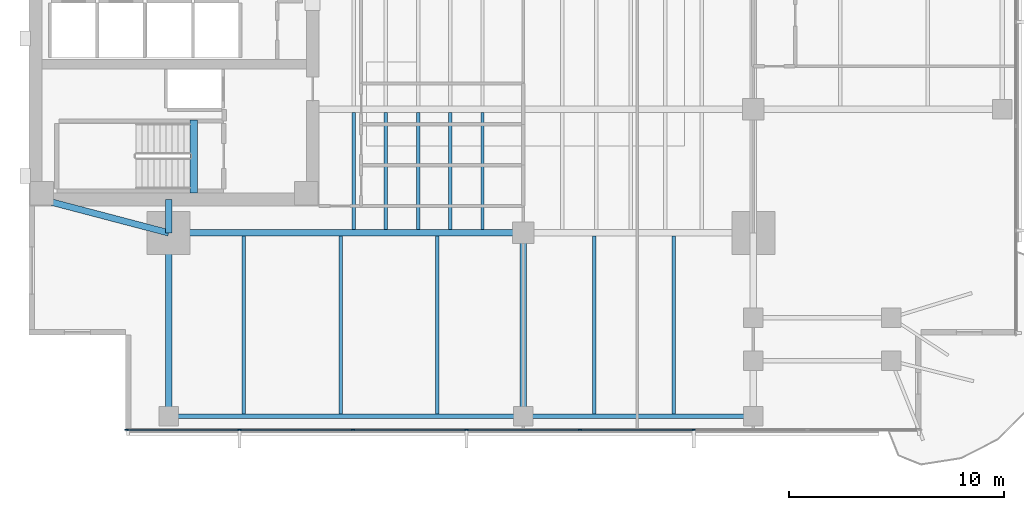
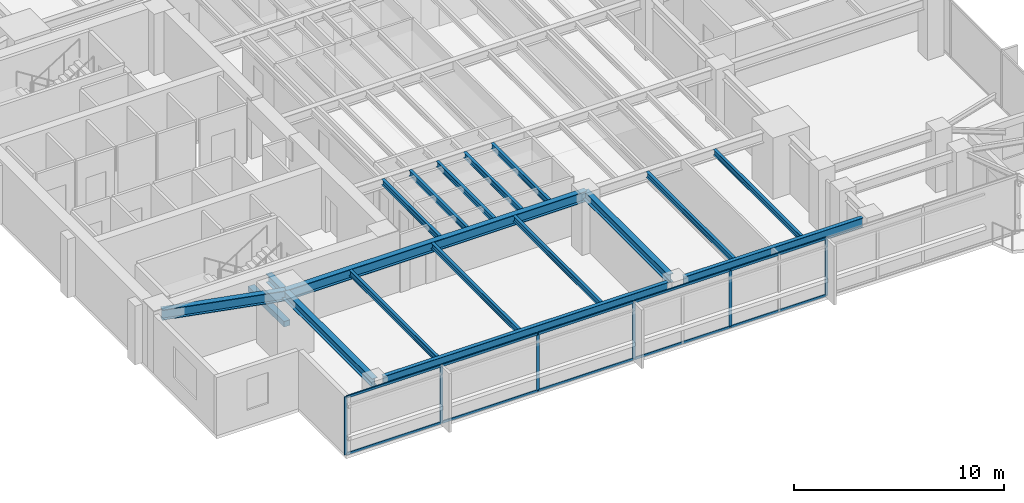
# One storey, part 2 of 14: 18 beams, 16 members, 1 element without a shape of its own.
"""IFC4 building model written with IfcOpenShell, lengths in metres."""

from ifc_helpers import new_model, si_unit, direction, frame, origin, origin_2d, place, context, subcontext, project, spatial, rectangle, i_section, extrude, material, layer, layer_set, material_profile, profile_set, type_object, element, aggregate, save


model = new_model("IFC4")

# Units and contexts
model_context = context("Model", 3, precision=1e-05, world=origin(), true_north=direction((0.0, 1.0)))
body_context = subcontext(model_context, "Body", "Model", "MODEL_VIEW")
ifc_project = project(units=[si_unit("LENGTHUNIT", "METRE"), si_unit("AREAUNIT", "SQUARE_METRE"), si_unit("VOLUMEUNIT", "CUBIC_METRE"), si_unit("PLANEANGLEUNIT", "RADIAN"), si_unit("MASSUNIT", "GRAM", prefix="KILO")], contexts=[model_context])

# Site, building, storey
site_placement = place(None, origin())
site = spatial("IfcSite", under=ifc_project, at=site_placement, CompositionType="ELEMENT")
building_placement = place(site_placement, origin())
building = spatial("IfcBuilding", under=site, at=building_placement, Name="Kinhvarn Gate Tower", CompositionType="ELEMENT")
storey_placement = place(building_placement, frame((0.0, 0.0, 123.550048828125)))
storey = spatial("IfcBuildingStorey", under=building, at=storey_placement, Name="L32", CompositionType="ELEMENT", Elevation=123.550048828125)

# Beam
ifc_material_1 = material(Name="Concrete C50/60", Category="concrete")
ifc_material_profile_1 = material_profile(ifc_material_1, rectangle(XDim=0.340087890625, YDim=0.320068359375, at=origin_2d()), Name="RC 340x320")
ifc_profile_set_1 = profile_set([ifc_material_profile_1], Name="Concrete C50/60")
beam_type_1 = type_object("IfcBeamType", Name="BM-LND-500", PredefinedType="BEAM", material=ifc_profile_set_1)
beam_1_placement = place(storey_placement, frame((12.1650390625, 14.60009765625, -0.16015625), z_axis=(0.0, 1.0, 0.0), x_axis=(-1.0, 0.0, 0.0)))
element("IfcBeam", 1, at=beam_1_placement, inside=storey, type_object=beam_type_1, Name="Stair ST1 Landing Nosing Beam (L32)", PredefinedType="BEAM", context=body_context, shape_type="SweptSolid", body=[
    extrude(rectangle(XDim=0.340087890625, YDim=0.320068359375, at=origin_2d()), origin(), (0.0, 0.0, 1.0), 3.39990234375),
])

# Curtain wall, members
ifc_material_2 = material(Name="Anodised aluminium AW-6063", Category="aluminium")
ifc_layer = layer(ifc_material_2, 0.179931640625)
ifc_layer_set = layer_set([ifc_layer], Name="Anodised aluminium AW-6063")
curtain_wall_type = type_object("IfcCurtainWallType", Name="CW-SYS-3", PredefinedType="NOTDEFINED", material=ifc_layer_set)
curtain_wall_placement = place(storey_placement, origin())
curtain_wall = element("IfcCurtainWall", 2, at=curtain_wall_placement, inside=storey, type_object=curtain_wall_type, Name="Curtain Wall CW3 (L32)", PredefinedType="NOTDEFINED")
ifc_material_profile_2 = material_profile(ifc_material_2, rectangle(XDim=0.06494140625, YDim=0.159912109375, at=origin_2d()), Name="ALU 65x160")
ifc_profile_set_2 = profile_set([ifc_material_profile_2], Name="Anodised aluminium AW-6063")
member_type_1 = type_object("IfcMemberType", Name="CW-MUL-160", PredefinedType="MULLION", material=ifc_profile_set_2)
member_1_placement = place(storey_placement, frame((9.032470703125, 3.590087890625, 0.0), z_axis=(0.0, 0.0, 1.0), x_axis=(0.0, 1.0, 0.0)))
member_1 = element("IfcMember", 3, at=member_1_placement, type_object=member_type_1, Name="CW3 mullion 1", PredefinedType="MULLION", context=body_context, shape_type="SweptSolid", body=[
    extrude(rectangle(XDim=0.06494140625, YDim=0.159912109375, at=origin_2d()), origin(), (0.0, 0.0, 1.0), 3.369873046875),
])
member_2_placement = place(storey_placement, frame((14.28564453125, 3.590087890625, 0.0), z_axis=(0.0, 0.0, 1.0), x_axis=(0.0, 1.0, 0.0)))
member_2 = element("IfcMember", 4, at=member_2_placement, type_object=member_type_1, Name="CW3 mullion 2", PredefinedType="MULLION", context=body_context, shape_type="SweptSolid", body=[
    extrude(rectangle(XDim=0.06494140625, YDim=0.159912109375, at=origin_2d()), origin(), (0.0, 0.0, 1.0), 3.369873046875),
])
member_3_placement = place(storey_placement, frame((19.571533203125, 3.590087890625, 0.0), z_axis=(0.0, 0.0, 1.0), x_axis=(0.0, 1.0, 0.0)))
member_3 = element("IfcMember", 5, at=member_3_placement, type_object=member_type_1, Name="CW3 mullion 3", PredefinedType="MULLION", context=body_context, shape_type="SweptSolid", body=[
    extrude(rectangle(XDim=0.06494140625, YDim=0.159912109375, at=origin_2d()), origin(), (0.0, 0.0, 1.0), 3.369873046875),
])
member_4_placement = place(storey_placement, frame((24.857177734375, 3.590087890625, 0.0), z_axis=(0.0, 0.0, 1.0), x_axis=(0.0, 1.0, 0.0)))
member_4 = element("IfcMember", 6, at=member_4_placement, type_object=member_type_1, Name="CW3 mullion 4", PredefinedType="MULLION", context=body_context, shape_type="SweptSolid", body=[
    extrude(rectangle(XDim=0.06494140625, YDim=0.159912109375, at=origin_2d()), origin(), (0.0, 0.0, 1.0), 3.369873046875),
])
member_5_placement = place(storey_placement, frame((30.142822265625, 3.590087890625, 0.0), z_axis=(0.0, 0.0, 1.0), x_axis=(0.0, 1.0, 0.0)))
member_5 = element("IfcMember", 7, at=member_5_placement, type_object=member_type_1, Name="CW3 mullion 5", PredefinedType="MULLION", context=body_context, shape_type="SweptSolid", body=[
    extrude(rectangle(XDim=0.06494140625, YDim=0.159912109375, at=origin_2d()), origin(), (0.0, 0.0, 1.0), 3.369873046875),
])
member_6_placement = place(storey_placement, frame((35.428466796875, 3.590087890625, 0.0), z_axis=(0.0, 0.0, 1.0), x_axis=(0.0, 1.0, 0.0)))
member_6 = element("IfcMember", 8, at=member_6_placement, type_object=member_type_1, Name="CW3 mullion 6", PredefinedType="MULLION", context=body_context, shape_type="SweptSolid", body=[
    extrude(rectangle(XDim=0.06494140625, YDim=0.159912109375, at=origin_2d()), origin(), (0.0, 0.0, 1.0), 3.369873046875),
])
ifc_material_profile_3 = material_profile(ifc_material_2, rectangle(XDim=0.070068359375, YDim=0.139892578125, at=origin_2d()), Name="ALU 70x140")
ifc_profile_set_3 = profile_set([ifc_material_profile_3], Name="Anodised aluminium AW-6063")
member_type_2 = type_object("IfcMemberType", Name="CW-TRN-140", PredefinedType="USERDEFINED", material=ifc_profile_set_3)
member_7_placement = place(storey_placement, frame((9.06494140625, 3.590087890625, 0.034912109375), z_axis=(1.0, 0.0, 0.0), x_axis=(0.0, 1.0, 0.0)))
member_7 = element("IfcMember", 9, at=member_7_placement, type_object=member_type_2, Name="CW3 transom 1.1", ObjectType="TRANSOM", PredefinedType="USERDEFINED", context=body_context, shape_type="SweptSolid", body=[
    extrude(rectangle(XDim=0.070068359375, YDim=0.139892578125, at=origin_2d()), origin(), (0.0, 0.0, 1.0), 5.188232421875),
])
member_8_placement = place(storey_placement, frame((9.06494140625, 3.590087890625, 3.3349609375), z_axis=(1.0, 0.0, 0.0), x_axis=(0.0, 1.0, 0.0)))
member_8 = element("IfcMember", 10, at=member_8_placement, type_object=member_type_2, Name="CW3 transom 1.2", ObjectType="TRANSOM", PredefinedType="USERDEFINED", context=body_context, shape_type="SweptSolid", body=[
    extrude(rectangle(XDim=0.070068359375, YDim=0.139892578125, at=origin_2d()), origin(), (0.0, 0.0, 1.0), 5.188232421875),
])
member_9_placement = place(storey_placement, frame((14.318115234375, 3.590087890625, 0.034912109375), z_axis=(1.0, 0.0, 0.0), x_axis=(0.0, 1.0, 0.0)))
member_9 = element("IfcMember", 11, at=member_9_placement, type_object=member_type_2, Name="CW3 transom 2.1", ObjectType="TRANSOM", PredefinedType="USERDEFINED", context=body_context, shape_type="SweptSolid", body=[
    extrude(rectangle(XDim=0.070068359375, YDim=0.139892578125, at=origin_2d()), origin(), (0.0, 0.0, 1.0), 5.220703125),
])
member_10_placement = place(storey_placement, frame((14.318115234375, 3.590087890625, 3.3349609375), z_axis=(1.0, 0.0, 0.0), x_axis=(0.0, 1.0, 0.0)))
member_10 = element("IfcMember", 12, at=member_10_placement, type_object=member_type_2, Name="CW3 transom 2.2", ObjectType="TRANSOM", PredefinedType="USERDEFINED", context=body_context, shape_type="SweptSolid", body=[
    extrude(rectangle(XDim=0.070068359375, YDim=0.139892578125, at=origin_2d()), origin(), (0.0, 0.0, 1.0), 5.220703125),
])
member_11_placement = place(storey_placement, frame((19.60400390625, 3.590087890625, 0.034912109375), z_axis=(1.0, 0.0, 0.0), x_axis=(0.0, 1.0, 0.0)))
member_11 = element("IfcMember", 13, at=member_11_placement, type_object=member_type_2, Name="CW3 transom 3.1", ObjectType="TRANSOM", PredefinedType="USERDEFINED", context=body_context, shape_type="SweptSolid", body=[
    extrude(rectangle(XDim=0.070068359375, YDim=0.139892578125, at=origin_2d()), origin(), (0.0, 0.0, 1.0), 5.220703125),
])
member_12_placement = place(storey_placement, frame((19.60400390625, 3.590087890625, 3.3349609375), z_axis=(1.0, 0.0, 0.0), x_axis=(0.0, 1.0, 0.0)))
member_12 = element("IfcMember", 14, at=member_12_placement, type_object=member_type_2, Name="CW3 transom 3.2", ObjectType="TRANSOM", PredefinedType="USERDEFINED", context=body_context, shape_type="SweptSolid", body=[
    extrude(rectangle(XDim=0.070068359375, YDim=0.139892578125, at=origin_2d()), origin(), (0.0, 0.0, 1.0), 5.220703125),
])
member_13_placement = place(storey_placement, frame((24.8896484375, 3.590087890625, 0.034912109375), z_axis=(1.0, 0.0, 0.0), x_axis=(0.0, 1.0, 0.0)))
member_13 = element("IfcMember", 15, at=member_13_placement, type_object=member_type_2, Name="CW3 transom 4.1", ObjectType="TRANSOM", PredefinedType="USERDEFINED", context=body_context, shape_type="SweptSolid", body=[
    extrude(rectangle(XDim=0.070068359375, YDim=0.139892578125, at=origin_2d()), origin(), (0.0, 0.0, 1.0), 5.220703125),
])
member_14_placement = place(storey_placement, frame((24.8896484375, 3.590087890625, 3.3349609375), z_axis=(1.0, 0.0, 0.0), x_axis=(0.0, 1.0, 0.0)))
member_14 = element("IfcMember", 16, at=member_14_placement, type_object=member_type_2, Name="CW3 transom 4.2", ObjectType="TRANSOM", PredefinedType="USERDEFINED", context=body_context, shape_type="SweptSolid", body=[
    extrude(rectangle(XDim=0.070068359375, YDim=0.139892578125, at=origin_2d()), origin(), (0.0, 0.0, 1.0), 5.220703125),
])
member_15_placement = place(storey_placement, frame((30.17529296875, 3.590087890625, 0.034912109375), z_axis=(1.0, 0.0, 0.0), x_axis=(0.0, 1.0, 0.0)))
member_15 = element("IfcMember", 17, at=member_15_placement, type_object=member_type_2, Name="CW3 transom 5.1", ObjectType="TRANSOM", PredefinedType="USERDEFINED", context=body_context, shape_type="SweptSolid", body=[
    extrude(rectangle(XDim=0.070068359375, YDim=0.139892578125, at=origin_2d()), origin(), (0.0, 0.0, 1.0), 5.220703125),
])
member_16_placement = place(storey_placement, frame((30.17529296875, 3.590087890625, 3.3349609375), z_axis=(1.0, 0.0, 0.0), x_axis=(0.0, 1.0, 0.0)))
member_16 = element("IfcMember", 18, at=member_16_placement, type_object=member_type_2, Name="CW3 transom 5.2", ObjectType="TRANSOM", PredefinedType="USERDEFINED", context=body_context, shape_type="SweptSolid", body=[
    extrude(rectangle(XDim=0.070068359375, YDim=0.139892578125, at=origin_2d()), origin(), (0.0, 0.0, 1.0), 5.220703125),
])
aggregate(curtain_wall, [member_1, member_2, member_3, member_4, member_5, member_6, member_7, member_8, member_9, member_10, member_11, member_12, member_13, member_14, member_15, member_16])

# Beams
ifc_material_3 = material(Name="Steel S355", Category="steel")
ifc_material_profile_4 = material_profile(ifc_material_3, i_section(OverallWidth=0.300048828125, OverallDepth=0.5, WebThickness=0.014404296875, FlangeThickness=0.028076171875, at=origin_2d()), Name="HEB 500")
ifc_profile_set_4 = profile_set([ifc_material_profile_4], Name="Steel S355")
beam_type_2 = type_object("IfcBeamType", Name="STL-HEB500", PredefinedType="BEAM", material=ifc_profile_set_4)
beam_2_placement = place(storey_placement, frame((11.0, 4.219970703125, 3.119873046875), z_axis=(0.0, 1.0, 0.0), x_axis=(-1.0, 0.0, 0.0)))
element("IfcBeam", 19, at=beam_2_placement, inside=storey, type_object=beam_type_2, Name="Floor Beam PG-14 (L32 MCW-S)", PredefinedType="BEAM", context=body_context, shape_type="SweptSolid", body=[
    extrude(i_section(OverallWidth=0.300048828125, OverallDepth=0.5, WebThickness=0.014404296875, FlangeThickness=0.028076171875, at=origin_2d()), origin(), (0.0, 0.0, 1.0), 8.530029296875),
])
beam_3_placement = place(storey_placement, frame((11.0, 12.75, 3.119873046875), z_axis=(0.0, 1.0, 0.0), x_axis=(-1.0, 0.0, 0.0)))
element("IfcBeam", 20, at=beam_3_placement, inside=storey, type_object=beam_type_2, Name="Floor Beam PG-14 (L32 MCW-CS)", PredefinedType="BEAM", context=body_context, shape_type="SweptSolid", body=[
    extrude(i_section(OverallWidth=0.300048828125, OverallDepth=0.5, WebThickness=0.014404296875, FlangeThickness=0.028076171875, at=origin_2d()), origin(), (0.0, 0.0, 1.0), 1.550048828125),
])
beam_4_placement = place(storey_placement, frame((27.5, 4.655029296875, 3.119873046875), z_axis=(0.0, 1.0, 0.0), x_axis=(-1.0, 0.0, 0.0)))
element("IfcBeam", 21, at=beam_4_placement, inside=storey, type_object=beam_type_2, Name="Floor Beam PG-14 (L32 SP27-S-TIE)", PredefinedType="BEAM", context=body_context, shape_type="SweptSolid", body=[
    extrude(i_section(OverallWidth=0.300048828125, OverallDepth=0.5, WebThickness=0.014404296875, FlangeThickness=0.028076171875, at=origin_2d()), origin(), (0.0, 0.0, 1.0), 8.094970703125),
])
ifc_material_profile_5 = material_profile(ifc_material_3, i_section(OverallWidth=0.300048828125, OverallDepth=0.60009765625, WebThickness=0.015380859375, FlangeThickness=0.030029296875, at=origin_2d()), Name="HEB 600")
ifc_profile_set_5 = profile_set([ifc_material_profile_5], Name="Steel S355")
beam_type_3 = type_object("IfcBeamType", Name="STL-HEB600", PredefinedType="BEAM", material=ifc_profile_set_5)
beam_5_placement = place(storey_placement, frame((11.0, 12.75, 3.070068359375), z_axis=(1.0, 0.0, 0.0), x_axis=(0.0, 1.0, 0.0)))
element("IfcBeam", 22, at=beam_5_placement, inside=storey, type_object=beam_type_3, Name="Floor Beam PG-16 (L32 MG-S1)", PredefinedType="BEAM", context=body_context, shape_type="SweptSolid", body=[
    extrude(i_section(OverallWidth=0.300048828125, OverallDepth=0.60009765625, WebThickness=0.015380859375, FlangeThickness=0.030029296875, at=origin_2d()), origin(), (0.0, 0.0, 1.0), 16.5),
])
beam_6_placement = place(storey_placement, frame((5.10009765625, 14.300048828125, 3.070068359375), z_axis=(0.967177623957, -0.254101246979, 0.0), x_axis=(0.254101246979, 0.967177623957, 0.0)))
element("IfcBeam", 23, at=beam_6_placement, inside=storey, type_object=beam_type_3, Name="Floor Beam PG-16 (L32 MG-SW-DIAG)", PredefinedType="BEAM", context=body_context, shape_type="SweptSolid", body=[
    extrude(i_section(OverallWidth=0.300048828125, OverallDepth=0.60009765625, WebThickness=0.015380859375, FlangeThickness=0.030029296875, at=origin_2d()), origin(), (0.0, 0.0, 1.0), 6.10009765625),
])
ifc_material_profile_6 = material_profile(ifc_material_3, i_section(OverallWidth=0.159912109375, OverallDepth=0.330078125, WebThickness=0.007568359375, FlangeThickness=0.011474609375, at=origin_2d()), Name="IPE 330")
ifc_profile_set_6 = profile_set([ifc_material_profile_6], Name="Steel S355")
beam_type_4 = type_object("IfcBeamType", Name="STL-IPE330", PredefinedType="JOIST", material=ifc_profile_set_6)
for number, where, z_axis, x_axis, name in (
    (24, (19.60009765625, 12.89990234375, 3.204833984375), (0.0, 1.0, 0.0), (-1.0, 0.0, 0.0), "Floor Joist SB-03 (L32 JC-X196-0)"),
    (25, (21.10009765625, 12.89990234375, 3.204833984375), (0.0, 1.0, 0.0), (-1.0, 0.0, 0.0), "Floor Joist SB-03 (L32 JC-X211-0)"),
    (26, (22.60009765625, 12.89990234375, 3.204833984375), (0.0, 1.0, 0.0), (-1.0, 0.0, 0.0), "Floor Joist SB-03 (L32 JC-X226-0)"),
    (27, (24.10009765625, 12.89990234375, 3.204833984375), (0.0, 1.0, 0.0), (-1.0, 0.0, 0.0), "Floor Joist SB-03 (L32 JC-X241-0)"),
    (28, (25.60009765625, 12.89990234375, 3.204833984375), (0.0, 1.0, 0.0), (-1.0, 0.0, 0.0), "Floor Joist SB-03 (L32 JC-X256-0)"),
):
    element("IfcBeam", number, at=place(storey_placement, frame(where, z_axis=z_axis, x_axis=x_axis)), inside=storey, type_object=beam_type_4, Name=name, PredefinedType="JOIST", context=body_context, shape_type="SweptSolid", body=[
        extrude(i_section(OverallWidth=0.159912109375, OverallDepth=0.330078125, WebThickness=0.007568359375, FlangeThickness=0.011474609375, at=origin_2d()), origin(), (0.0, 0.0, 1.0), 5.4501953125),
    ])
for number, where, z_axis, x_axis, name in (
    (29, (14.5, 4.324951171875, 3.204833984375), (0.0, 1.0, 0.0), (-1.0, 0.0, 0.0), "Floor Joist SB-03 (L32 JS-X145)"),
    (30, (19.0, 4.324951171875, 3.204833984375), (0.0, 1.0, 0.0), (-1.0, 0.0, 0.0), "Floor Joist SB-03 (L32 JS-X190)"),
    (31, (23.5, 4.324951171875, 3.204833984375), (0.0, 1.0, 0.0), (-1.0, 0.0, 0.0), "Floor Joist SB-03 (L32 JS-X235)"),
    (32, (30.800048828125, 4.324951171875, 3.204833984375), (0.0, 1.0, 0.0), (-1.0, 0.0, 0.0), "Floor Joist SB-03 (L32 JS-X308)"),
    (33, (34.5, 4.324951171875, 3.204833984375), (0.0, 1.0, 0.0), (-1.0, 0.0, 0.0), "Floor Joist SB-03 (L32 JS-X345)"),
):
    element("IfcBeam", number, at=place(storey_placement, frame(where, z_axis=z_axis, x_axis=x_axis)), inside=storey, type_object=beam_type_4, Name=name, PredefinedType="JOIST", context=body_context, shape_type="SweptSolid", body=[
        extrude(i_section(OverallWidth=0.159912109375, OverallDepth=0.330078125, WebThickness=0.007568359375, FlangeThickness=0.011474609375, at=origin_2d()), origin(), (0.0, 0.0, 1.0), 8.275146484375),
    ])
ifc_material_profile_7 = material_profile(ifc_material_3, i_section(OverallWidth=0.2099609375, OverallDepth=0.550048828125, WebThickness=0.010986328125, FlangeThickness=0.01708984375, at=origin_2d()), Name="IPE 550")
ifc_profile_set_7 = profile_set([ifc_material_profile_7], Name="Steel S355")
beam_type_5 = type_object("IfcBeamType", Name="STL-IPE550", PredefinedType="SPANDREL", material=ifc_profile_set_7)
beam_7_placement = place(storey_placement, frame((11.43505859375, 4.219970703125, 3.094970703125), z_axis=(1.0, 0.0, 0.0), x_axis=(0.0, 1.0, 0.0)))
element("IfcBeam", 34, at=beam_7_placement, inside=storey, type_object=beam_type_5, Name="Floor Spandrel SB-08 (L32 SP-S1)", PredefinedType="SPANDREL", context=body_context, shape_type="SweptSolid", body=[
    extrude(i_section(OverallWidth=0.2099609375, OverallDepth=0.550048828125, WebThickness=0.010986328125, FlangeThickness=0.01708984375, at=origin_2d()), origin(), (0.0, 0.0, 1.0), 15.6298828125),
])
beam_8_placement = place(storey_placement, frame((27.93505859375, 4.219970703125, 3.094970703125), z_axis=(1.0, 0.0, 0.0), x_axis=(0.0, 1.0, 0.0)))
element("IfcBeam", 35, at=beam_8_placement, inside=storey, type_object=beam_type_5, Name="Floor Spandrel SB-08 (L32 SP-S2)", PredefinedType="SPANDREL", context=body_context, shape_type="SweptSolid", body=[
    extrude(i_section(OverallWidth=0.2099609375, OverallDepth=0.550048828125, WebThickness=0.010986328125, FlangeThickness=0.01708984375, at=origin_2d()), origin(), (0.0, 0.0, 1.0), 9.829833984375),
])

save(model, "model.ifc")
